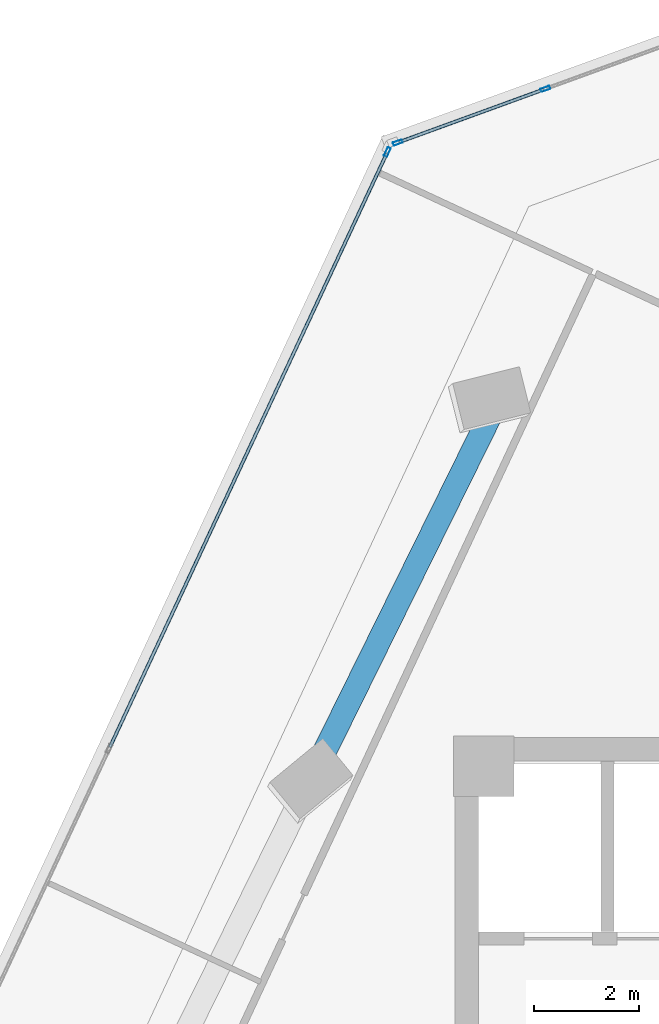
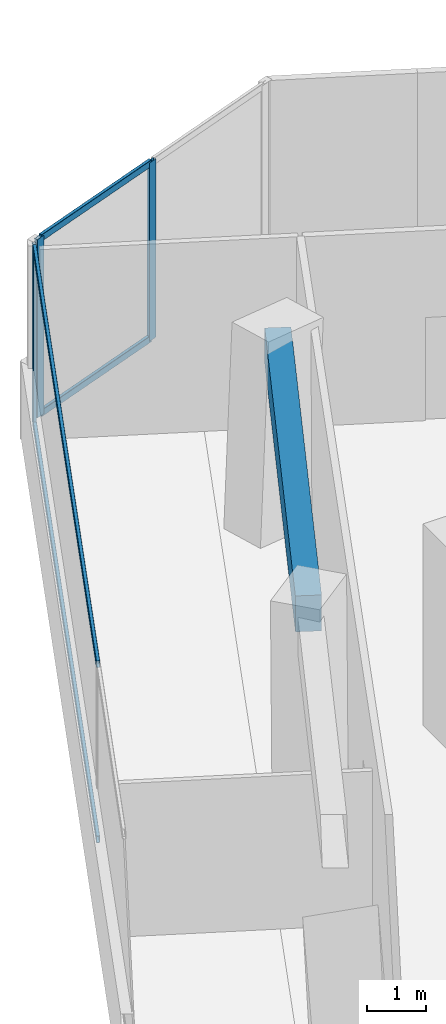
# One storey, part 11 of 23: 7 members, 1 beam, 2 elements without a shape of their own.
"""IFC4 building model written with IfcOpenShell, lengths in metres."""

import ifcopenshell
import ifcopenshell.guid

model = None  # the IFC model being written
_history = None  # IfcOwnerHistory: only IFC2X3 demands one
_inside = {}  # id of a spatial element -> (the spatial element, [elements in it])
_under = {}  # id of a project, library or spatial element -> (it, [spatial elements below it])
_declared = {}  # id of a project -> (the project, [libraries it declares])
_typed = {}  # id of a type object -> (the type object, [elements of that type])
_made_of = {}  # id of a material, layer set ... -> (it, [elements and type objects made of it])


def new_model(schema):
    """Start an empty IFC model of exactly this schema.

    Asked for "IFC4X3", IfcOpenShell would pick the latest addendum, in which some entities
    have other attributes; the version numbers below select the first issue.
    IFC2X3 requires an IfcOwnerHistory on every rooted entity: one is made here for all.
    """
    global model, _history
    if schema == "IFC4X3":
        model = ifcopenshell.file(schema_version=(4, 3, 0, 0))
    else:
        model = ifcopenshell.file(schema=schema)
    _inside.clear()
    _under.clear()
    _declared.clear()
    _typed.clear()
    _made_of.clear()
    _history = None
    if model.schema == "IFC2X3":
        org = make("IfcOrganization", Name="unknown")
        user = make(
            "IfcPersonAndOrganization",
            ThePerson=make("IfcPerson", FamilyName="unknown"),
            TheOrganization=org,
        )
        app = make(
            "IfcApplication",
            ApplicationDeveloper=org,
            Version="unknown",
            ApplicationFullName="unknown",
            ApplicationIdentifier="unknown",
        )
        _history = make(
            "IfcOwnerHistory",
            OwningUser=user,
            OwningApplication=app,
            ChangeAction="ADDED",
            CreationDate=0,
        )
    return model


def make(cls, **values):
    """One entity of the class cls with the attributes given. An attribute that is None is left unset."""
    return model.create_entity(
        cls, **{name: value for name, value in values.items() if value is not None}
    )


def rooted(cls, **values):
    """An entity with a GlobalId (a new one), such as an element, a storey or a relation."""
    return make(cls, GlobalId=ifcopenshell.guid.new(), OwnerHistory=_history, **values)


def si_unit(unit_type, name, prefix=None):
    """IfcSIUnit, for example si_unit("LENGTHUNIT", "METRE", prefix="MILLI")."""
    return make("IfcSIUnit", UnitType=unit_type, Prefix=prefix, Name=name)


def assignment(units):
    """IfcUnitAssignment: the units of a project."""
    return None if units is None else make("IfcUnitAssignment", Units=units)


def point(xyz):
    """IfcCartesianPoint."""
    return None if xyz is None else make("IfcCartesianPoint", Coordinates=xyz)


def direction(xyz):
    """IfcDirection."""
    return None if xyz is None else make("IfcDirection", DirectionRatios=xyz)


def frame(location, z_axis=None, x_axis=None):
    """IfcAxis2Placement3D, a coordinate frame: its origin and axes. An axis left out is left unset."""
    return make(
        "IfcAxis2Placement3D",
        Location=point(location),
        Axis=direction(z_axis),
        RefDirection=direction(x_axis),
    )


def frame_2d(location, x_axis=None):
    """IfcAxis2Placement2D, a coordinate frame in the plane: its origin and x axis."""
    return make(
        "IfcAxis2Placement2D", Location=point(location), RefDirection=direction(x_axis)
    )


def origin():
    """The frame at (0, 0, 0) with its axes left unset."""
    return frame((0.0, 0.0, 0.0))


def origin_2d():
    """The frame at (0, 0) in the plane with its x axis left unset."""
    return frame_2d((0.0, 0.0))


def place(relative_to, where):
    """IfcLocalPlacement: puts the frame where relative to a parent placement (None: the world)."""
    return make(
        "IfcLocalPlacement", PlacementRelTo=relative_to, RelativePlacement=where
    )


def context(
    kind, dimensions, precision=None, world=None, true_north=None, identifier=None
):
    """IfcGeometricRepresentationContext, for example the 3D "Model" context."""
    return make(
        "IfcGeometricRepresentationContext",
        ContextIdentifier=identifier,
        ContextType=kind,
        CoordinateSpaceDimension=dimensions,
        Precision=precision,
        WorldCoordinateSystem=world,
        TrueNorth=true_north,
    )


def subcontext(parent, identifier, kind, view, scale=None):
    """IfcGeometricRepresentationSubContext, for example "Body" below "Model"."""
    return make(
        "IfcGeometricRepresentationSubContext",
        ContextIdentifier=identifier,
        ContextType=kind,
        ParentContext=parent,
        TargetScale=scale,
        TargetView=view,
    )


def project(units=None, contexts=None):
    """IfcProject with its units and contexts."""
    return rooted(
        "IfcProject",
        Name="project",
        RepresentationContexts=contexts,
        UnitsInContext=assignment(units),
    )


def spatial(cls, under=None, at=None, **own):
    """A site, building, storey or space (cls), placed at a placement, below another one or the project."""
    s = rooted(cls, ObjectPlacement=at, **own)
    if under is not None:
        _under.setdefault(under.id(), (under, []))[1].append(s)
    return s


def profile(cls, at=None, kind="AREA", **sizes):
    """A parametric profile (cls). Its sizes go by their IFC names, for example OverallWidth=200.0."""
    return make(cls, ProfileType=kind, Position=at, **sizes)


def rectangle(**sizes):
    """IfcRectangleProfileDef."""
    return profile("IfcRectangleProfileDef", **sizes)


def hollow_rectangle(**sizes):
    """IfcRectangleHollowProfileDef."""
    return profile("IfcRectangleHollowProfileDef", **sizes)


def extrude(swept, where, along, depth):
    """IfcExtrudedAreaSolid: the profile swept, set in the frame where, extruded along a direction by depth."""
    return make(
        "IfcExtrudedAreaSolid",
        SweptArea=swept,
        Position=where,
        ExtrudedDirection=direction(along),
        Depth=depth,
    )


def shape(context_of_items, identifier, shape_type, items):
    """IfcShapeRepresentation: the items that make up one representation, for example the "Body"."""
    return make(
        "IfcShapeRepresentation",
        ContextOfItems=context_of_items,
        RepresentationIdentifier=identifier,
        RepresentationType=shape_type,
        Items=items,
    )


def source(mapping_origin, context_of_items, identifier, shape_type, items):
    """IfcRepresentationMap: a shape defined once, which mapped items show again and again."""
    return make(
        "IfcRepresentationMap",
        MappingOrigin=mapping_origin,
        MappedRepresentation=shape(context_of_items, identifier, shape_type, items),
    )


def transform(
    local_origin,
    x_axis=None,
    y_axis=None,
    z_axis=None,
    scale=None,
    scale2=None,
    scale3=None,
    uniform=True,
):
    """IfcCartesianTransformationOperator3D, or its non-uniform kind. x_axis, y_axis, z_axis: its Axis1, 2, 3."""
    if uniform:
        return make(
            "IfcCartesianTransformationOperator3D",
            Axis1=direction(x_axis),
            Axis2=direction(y_axis),
            LocalOrigin=point(local_origin),
            Scale=scale,
            Axis3=direction(z_axis),
        )
    return make(
        "IfcCartesianTransformationOperator3DnonUniform",
        Axis1=direction(x_axis),
        Axis2=direction(y_axis),
        LocalOrigin=point(local_origin),
        Scale=scale,
        Axis3=direction(z_axis),
        Scale2=scale2,
        Scale3=scale3,
    )


def mapped(mapping_source, mapping_target):
    """IfcMappedItem: shows the shape of a source again, moved by a transform."""
    return make(
        "IfcMappedItem", MappingSource=mapping_source, MappingTarget=mapping_target
    )


def material(Name=None, Category=None):
    """IfcMaterial."""
    return make("IfcMaterial", Name=Name, Category=Category)


def material_profile(
    of_material, cross_section, Name=None, Category=None, Priority=None
):
    """IfcMaterialProfile: a cross section and its material."""
    return make(
        "IfcMaterialProfile",
        Name=Name,
        Material=of_material,
        Profile=cross_section,
        Priority=Priority,
        Category=Category,
    )


def profile_set(profiles, Name=None, composite=None):
    """IfcMaterialProfileSet."""
    return make(
        "IfcMaterialProfileSet",
        Name=Name,
        MaterialProfiles=profiles,
        CompositeProfile=composite,
    )


def made_of(thing, what):
    """Note that an element or type object is made of a material, layer set ...; save() writes the relation."""
    if what is not None:
        _made_of.setdefault(what.id(), (what, []))[1].append(thing)
    return thing


def type_object(cls, material=None, **own):
    """A type object (cls), such as IfcWallType, which elements share."""
    return made_of(rooted(cls, **own), material)


def element(
    cls,
    number,
    at=None,
    inside=None,
    cuts=None,
    type_object=None,
    material=None,
    context=None,
    identifier="Body",
    shape_type=None,
    held_by="IfcProductDefinitionShape",
    body=None,
    shapes=None,
    **own,
):
    """One element of the class cls, such as IfcWall. Its Tag is "e" and its number.

    at: its placement. inside: the storey or other place that contains it. cuts: it is an
    opening in that element (IfcRelVoidsElement). A single representation is given by context,
    identifier, shape_type and body (its items); several are given by shapes. held_by: the class
    of the entity that holds the representations. save() writes the other relations.
    """
    e = rooted(cls, Tag="e%d" % number, ObjectPlacement=at, **own)
    if body is not None:
        shapes = [shape(context, identifier, shape_type, body)]
    if shapes is not None:
        e.Representation = make(held_by, Representations=shapes)
    if inside is not None:
        _inside.setdefault(inside.id(), (inside, []))[1].append(e)
    if cuts is not None:
        rooted(
            "IfcRelVoidsElement", RelatingBuildingElement=cuts, RelatedOpeningElement=e
        )
    if type_object is not None:
        _typed.setdefault(type_object.id(), (type_object, []))[1].append(e)
    return made_of(e, material)


def aggregate(whole, parts):
    """IfcRelAggregates: a whole, such as a stair, and the parts it consists of."""
    return rooted("IfcRelAggregates", RelatingObject=whole, RelatedObjects=parts)


def save(model, path):
    """Write the relations noted so far, then the file.

    IfcRelAggregates (storeys below a building ...), IfcRelContainedInSpatialStructure (elements
    in a storey), IfcRelDefinesByType, IfcRelAssociatesMaterial and IfcRelDeclares: one each for
    every whole, place, type object, material and project.
    """
    for whole, parts in _under.values():
        aggregate(whole, parts)
    for where, things in _inside.values():
        rooted(
            "IfcRelContainedInSpatialStructure",
            RelatedElements=things,
            RelatingStructure=where,
        )
    for kind, things in _typed.values():
        rooted("IfcRelDefinesByType", RelatedObjects=things, RelatingType=kind)
    for what, things in _made_of.values():
        rooted("IfcRelAssociatesMaterial", RelatedObjects=things, RelatingMaterial=what)
    for by, libraries in _declared.values():
        rooted("IfcRelDeclares", RelatingContext=by, RelatedDefinitions=libraries)
    model.write(path)


model = new_model("IFC4")

# Units and contexts
model_context = context("Model", 3, precision=1e-05, world=origin(), true_north=direction((0.0, 1.0)))
body_context = subcontext(model_context, "Body", "Model", "MODEL_VIEW")
ifc_project = project(units=[si_unit("LENGTHUNIT", "METRE"), si_unit("AREAUNIT", "SQUARE_METRE"), si_unit("VOLUMEUNIT", "CUBIC_METRE"), si_unit("PLANEANGLEUNIT", "RADIAN"), si_unit("MASSUNIT", "GRAM", prefix="KILO")], contexts=[model_context])

# Site, building, storey
site_placement = place(None, origin())
site = spatial("IfcSite", under=ifc_project, at=site_placement, CompositionType="ELEMENT")
building_placement = place(site_placement, origin())
building = spatial("IfcBuilding", under=site, at=building_placement, Name="Torre Montelarca", CompositionType="ELEMENT")
storey_placement = place(building_placement, frame((0.0, 0.0, 158.199951171875)))
storey = spatial("IfcBuildingStorey", under=building, at=storey_placement, Name="L35", CompositionType="ELEMENT", Elevation=158.199951171875)

# Beam
ifc_material_1 = material(Name="Concrete C55/67", Category="concrete")
ifc_material_profile_1 = material_profile(ifc_material_1, rectangle(XDim=0.449951171875, YDim=0.75, at=origin_2d()), Name="RCB450X750", Category="concrete")
ifc_profile_set_1 = profile_set([ifc_material_profile_1], Name="Concrete C55/67")
beam_type = type_object("IfcBeamType", Name="BM-SP-RC750-EXT", PredefinedType="SPANDREL", material=ifc_profile_set_1)
shared_shape_1 = source(origin(), body_context, "Body", "SweptSolid", [
    extrude(rectangle(XDim=0.449951171875, YDim=0.75, at=origin_2d()), origin(), (0.0, 0.0, 1.0), 7.999755859375),
])
beam_placement = place(storey_placement, frame((6.3876953125, 39.45263671875, 3.5849609375), z_axis=(0.442299545891, 0.896867388026, 0.0), x_axis=(-0.896867388026, 0.442299545891, 0.0)))
element("IfcBeam", 1, at=beam_placement, inside=storey, type_object=beam_type, Name="L35 Grid Girder Y 32.0-40.0 at X=4.7", PredefinedType="SPANDREL", context=body_context, shape_type="MappedRepresentation", body=[
    mapped(shared_shape_1, transform((0.0, 0.0, 0.0), scale=1.0)),
])

# Curtain wall, members
ifc_material_2 = material(Name="Insulated low-E laminated glass", Category="glass")
curtain_wall_type = type_object("IfcCurtainWallType", Name="CW-SYS-Z2", PredefinedType="USERDEFINED", material=ifc_material_2)
curtain_wall_1_placement = place(storey_placement, origin())
curtain_wall_1 = element("IfcCurtainWall", 2, at=curtain_wall_1_placement, inside=storey, type_object=curtain_wall_type, Name="L35 Curtain Wall Run CW-T3-L35-E09-B1", ObjectType="UNITISED GLAZING", PredefinedType="USERDEFINED")
ifc_material_3 = material(Name="Anodised aluminium AA 6063-T6", Category="aluminium")
ifc_material_profile_2 = material_profile(ifc_material_3, hollow_rectangle(XDim=0.06494140625, YDim=0.139892578125, WallThickness=0.00390625, InnerFilletRadius=0.00390625, OuterFilletRadius=0.008056640625, at=origin_2d()), Name="ALU65X140X4", Category="aluminium")
ifc_profile_set_2 = profile_set([ifc_material_profile_2], Name="Anodised aluminium AA 6063-T6")
member_type_1 = type_object("IfcMemberType", Name="CWT-ALU140", PredefinedType="USERDEFINED", material=ifc_profile_set_2)
shared_shape_2 = source(origin(), body_context, "Body", "SweptSolid", [
    extrude(hollow_rectangle(XDim=0.06494140625, YDim=0.139892578125, WallThickness=0.00390625, InnerFilletRadius=0.00390625, OuterFilletRadius=0.008056640625, at=origin_2d()), origin(), (0.0, 0.0, 1.0), 2.91845703125),
])
member_1_placement = place(storey_placement, frame((10.68798828125, 52.30712890625, 0.032470703125), z_axis=(-0.939678576029, -0.342058728513, 0.0), x_axis=(0.342058728513, -0.939678576029, 0.0)))
member_1 = element("IfcMember", 3, at=member_1_placement, type_object=member_type_1, Name="CW transom 2.1", ObjectType="TRANSOM", PredefinedType="USERDEFINED", context=body_context, shape_type="MappedRepresentation", body=[
    mapped(shared_shape_2, transform((0.0, 0.0, 0.0), scale=1.0)),
])
member_2_placement = place(storey_placement, frame((10.68798828125, 52.30712890625, 3.6875), z_axis=(-0.939678576029, -0.342058728513, 0.0), x_axis=(0.342058728513, -0.939678576029, 0.0)))
member_2 = element("IfcMember", 4, at=member_2_placement, type_object=member_type_1, Name="CW transom 2.2", ObjectType="TRANSOM", PredefinedType="USERDEFINED", context=body_context, shape_type="MappedRepresentation", body=[
    mapped(shared_shape_2, transform((0.0, 0.0, 0.0), scale=1.0)),
])

curtain_wall_2_placement = place(storey_placement, origin())
curtain_wall_2 = element("IfcCurtainWall", 5, at=curtain_wall_2_placement, inside=storey, type_object=curtain_wall_type, Name="L35 Curtain Wall Run CW-T3-L35-E10-B1", ObjectType="UNITISED GLAZING", PredefinedType="USERDEFINED")
shared_shape_3 = source(origin(), body_context, "Body", "SweptSolid", [
    extrude(hollow_rectangle(XDim=0.06494140625, YDim=0.139892578125, WallThickness=0.00390625, InnerFilletRadius=0.00390625, OuterFilletRadius=0.008056640625, at=origin_2d()), origin(), (0.0, 0.0, 1.0), 12.436767578125),
])
member_3_placement = place(storey_placement, frame((7.704345703125, 51.087890625, 0.032470703125), z_axis=(-0.422610329059, -0.906311486065, 0.0), x_axis=(0.906311486065, -0.422610329059, 0.0)))
member_3 = element("IfcMember", 6, at=member_3_placement, type_object=member_type_1, Name="CW transom 1.1", ObjectType="TRANSOM", PredefinedType="USERDEFINED", context=body_context, shape_type="MappedRepresentation", body=[
    mapped(shared_shape_3, transform((0.0, 0.0, 0.0), scale=1.0)),
])
member_4_placement = place(storey_placement, frame((7.704345703125, 51.087890625, 3.6875), z_axis=(-0.422610329059, -0.906311486065, 0.0), x_axis=(0.906311486065, -0.422610329059, 0.0)))
member_4 = element("IfcMember", 7, at=member_4_placement, type_object=member_type_1, Name="CW transom 1.2", ObjectType="TRANSOM", PredefinedType="USERDEFINED", context=body_context, shape_type="MappedRepresentation", body=[
    mapped(shared_shape_3, transform((0.0, 0.0, 0.0), scale=1.0)),
])

# Member
ifc_material_profile_3 = material_profile(ifc_material_3, hollow_rectangle(XDim=0.06494140625, YDim=0.179931640625, WallThickness=0.00390625, InnerFilletRadius=0.00390625, OuterFilletRadius=0.008056640625, at=origin_2d()), Name="ALU65X180X4", Category="aluminium")
ifc_profile_set_3 = profile_set([ifc_material_profile_3], Name="Anodised aluminium AA 6063-T6")
member_type_2 = type_object("IfcMemberType", Name="CWM-ALU180", PredefinedType="MULLION", material=ifc_profile_set_3)
shared_shape_4 = source(origin(), body_context, "Body", "SweptSolid", [
    extrude(hollow_rectangle(XDim=0.06494140625, YDim=0.179931640625, WallThickness=0.00390625, InnerFilletRadius=0.00390625, OuterFilletRadius=0.008056640625, at=origin_2d()), origin(), (0.0, 0.0, 1.0), 3.719970703125),
])
member_5_placement = place(storey_placement, frame((10.71875, 52.318115234375, 0.0), z_axis=(0.0, 0.0, 1.0), x_axis=(0.342021244323, -0.939692220055, 0.0)))
member_5 = element("IfcMember", 8, at=member_5_placement, type_object=member_type_2, Name="CW mullion 2", PredefinedType="MULLION", context=body_context, shape_type="MappedRepresentation", body=[
    mapped(shared_shape_4, transform((0.0, 0.0, 0.0), scale=1.0)),
])

member_6_placement = place(storey_placement, frame((7.9150390625, 51.297607421875, 0.0), z_axis=(0.0, 0.0, 1.0), x_axis=(0.342021244323, -0.939692220055, 0.0)))
member_6 = element("IfcMember", 9, at=member_6_placement, type_object=member_type_2, Name="CW mullion 3", PredefinedType="MULLION", context=body_context, shape_type="MappedRepresentation", body=[
    mapped(shared_shape_4, transform((0.0, 0.0, 0.0), scale=1.0)),
])

aggregate(curtain_wall_1, [member_5, member_6, member_1, member_2])

member_7_placement = place(storey_placement, frame((7.718017578125, 51.117431640625, 0.0), z_axis=(0.0, 0.0, 1.0), x_axis=(0.906309673549, -0.422614216079, 0.0)))
member_7 = element("IfcMember", 10, at=member_7_placement, type_object=member_type_2, Name="CW mullion 1", PredefinedType="MULLION", context=body_context, shape_type="MappedRepresentation", body=[
    mapped(shared_shape_4, transform((0.0, 0.0, 0.0), scale=1.0)),
])

aggregate(curtain_wall_2, [member_7, member_3, member_4])

save(model, "model.ifc")
